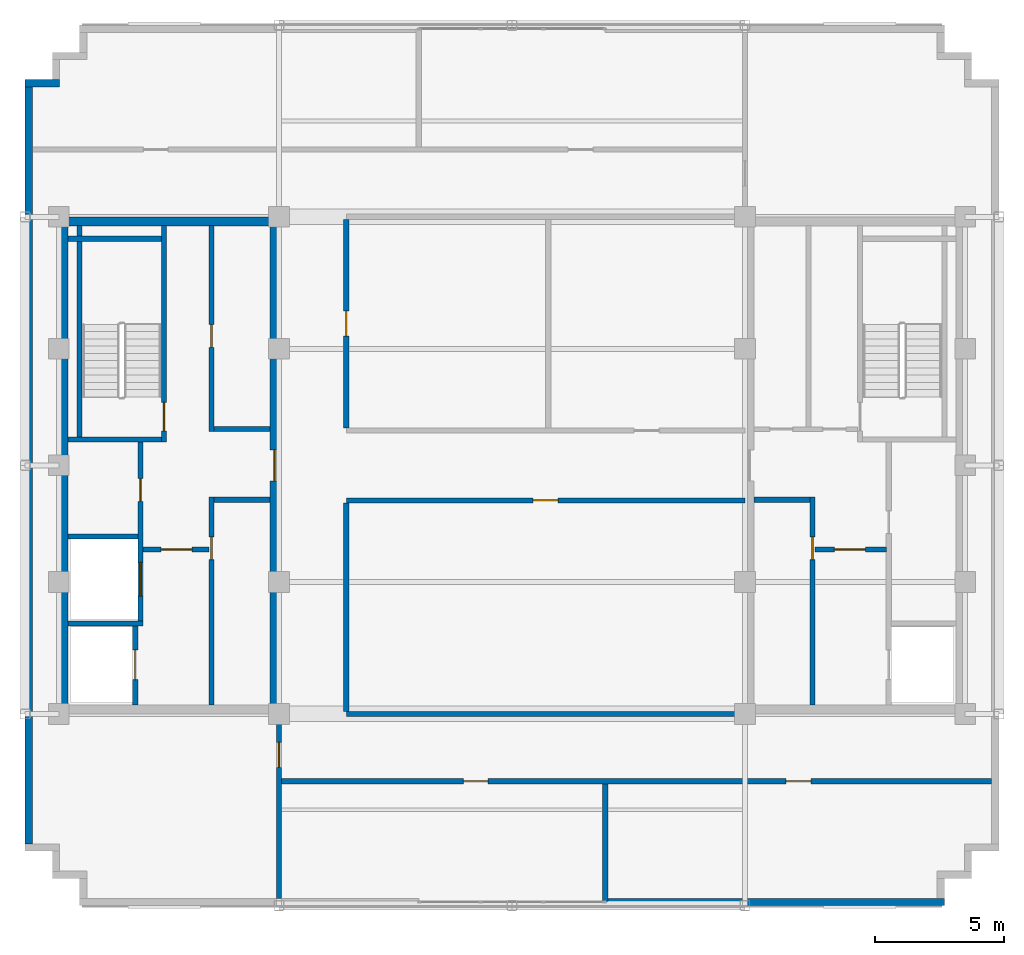
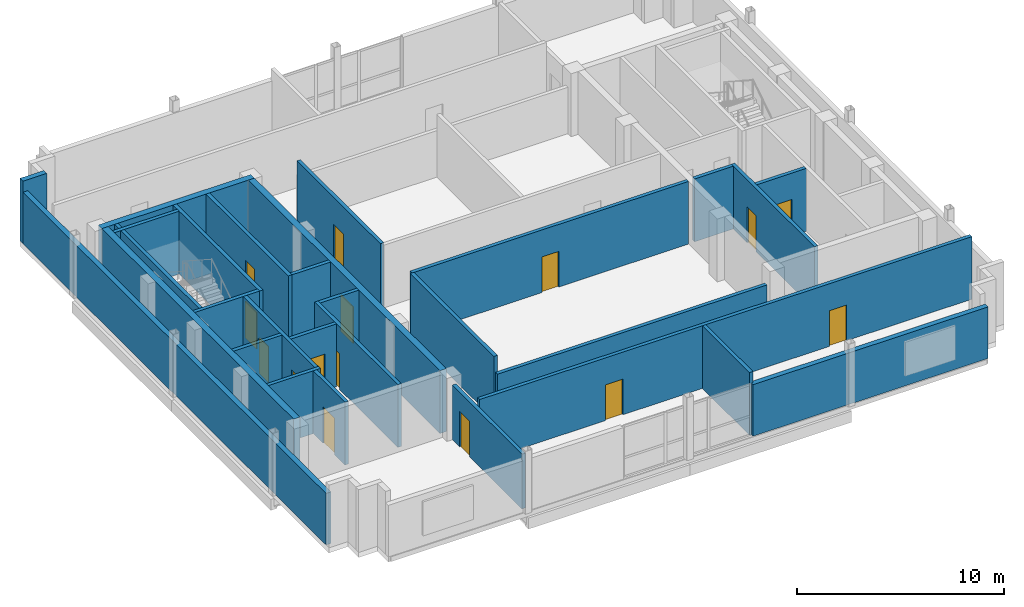
# One storey, part 2 of 10: 29 walls, 15 doors, 15 openings.
"""IFC4 building model written with IfcOpenShell, lengths in metres."""

from ifc_helpers import new_model, si_unit, direction, frame, frame_2d, origin, place, context, subcontext, project, spatial, rectangle, extrude, source, transform, mapped, material, layer, layer_set, type_object, type_shapes, element, fill, save


model = new_model("IFC4")

# Units and contexts
model_context = context("Model", 3, precision=1e-05, world=origin(), true_north=direction((0.0, 1.0)))
body_context = subcontext(model_context, "Body", "Model", "MODEL_VIEW")
ifc_project = project(units=[si_unit("LENGTHUNIT", "METRE"), si_unit("AREAUNIT", "SQUARE_METRE"), si_unit("VOLUMEUNIT", "CUBIC_METRE"), si_unit("PLANEANGLEUNIT", "RADIAN"), si_unit("MASSUNIT", "GRAM", prefix="KILO")], contexts=[model_context])

# Site, building, storey
site_placement = place(None, origin())
site = spatial("IfcSite", under=ifc_project, at=site_placement, CompositionType="ELEMENT")
building_placement = place(site_placement, origin())
building = spatial("IfcBuilding", under=site, at=building_placement, Name="Nuvemarco Arch Tower", CompositionType="ELEMENT")
storey_placement = place(building_placement, frame((0.0, 0.0, 295.14990234375)))
storey = spatial("IfcBuildingStorey", under=building, at=storey_placement, Name="L78", CompositionType="ELEMENT", Elevation=295.14990234375)

# Walls
ifc_material_1 = material(Name="Precast concrete C45/55", Category="concrete")
ifc_layer_1 = layer(ifc_material_1, 0.280029296875, Name="EW-CRN-280")
ifc_layer_set_1 = layer_set([ifc_layer_1], Name="Precast concrete C45/55")
wall_type_1 = type_object("IfcWallType", Name="EW-CRN-280", PredefinedType="STANDARD", material=ifc_layer_set_1)
wall_1_placement = place(storey_placement, frame((3.60009765625, -16.860107421875, 0.0), z_axis=(0.0, 0.0, 1.0), x_axis=(1.0, 0.0, 0.0)))
element("IfcWall", 1, at=wall_1_placement, inside=storey, type_object=wall_type_1, Name="L78 exterior precast pier wall south right", PredefinedType="STANDARD", context=body_context, shape_type="SweptSolid", body=[
    extrude(rectangle(XDim=13.099853515625, YDim=0.280029296875, at=frame_2d((6.5498046875, 0.0))), origin(), (0.0, 0.0, 1.0), 3.03515625),
])
wall_2_placement = place(storey_placement, frame((-18.800048828125, 14.760009765625, 0.0), z_axis=(0.0, 0.0, 1.0), x_axis=(1.0, 0.0, 0.0)))
element("IfcWall", 2, at=wall_2_placement, inside=storey, type_object=wall_type_1, Name="L78 exterior precast facade wall 15", PredefinedType="STANDARD", context=body_context, shape_type="SweptSolid", body=[
    extrude(rectangle(XDim=1.330078125, YDim=0.280029296875, at=frame_2d((0.6650390625, 0.0))), origin(), (0.0, 0.0, 1.0), 3.690185546875),
])
wall_3_placement = place(storey_placement, frame((-18.659912109375, -14.6240234375, 0.0), z_axis=(0.0, 0.0, 1.0), x_axis=(0.0, 1.0, 0.0)))
element("IfcWall", 3, at=wall_3_placement, inside=storey, type_object=wall_type_1, Name="L78 exterior precast facade wall 16", PredefinedType="STANDARD", context=body_context, shape_type="SweptSolid", body=[
    extrude(rectangle(XDim=29.248046875, YDim=0.280029296875, at=frame_2d((14.6240234375, 0.0))), origin(), (0.0, 0.0, 1.0), 3.03515625),
])
ifc_material_2 = material(Name="Concrete C50/60", Category="concrete")
ifc_layer_2 = layer(ifc_material_2, 0.35009765625, Name="WL-CORE-350")
ifc_layer_set_2 = layer_set([ifc_layer_2], Name="Concrete C50/60")
wall_type_2 = type_object("IfcWallType", Name="WL-CORE-350", PredefinedType="SHEAR", material=ifc_layer_set_2)
wall_4_placement = place(storey_placement, frame((-17.5, 9.425048828125, 0.0), z_axis=(0.0, 0.0, 1.0), x_axis=(1.0, 0.0, 0.0)))
element("IfcWall", 4, at=wall_4_placement, inside=storey, type_object=wall_type_2, Name="L78 W-core shear wall N", PredefinedType="SHEAR", context=body_context, shape_type="SweptSolid", body=[
    extrude(rectangle(XDim=8.5, YDim=0.35009765625, at=frame_2d((4.25, 0.0))), origin(), (0.0, 0.0, 1.0), 3.7001953125),
])
wall_5_placement = place(storey_placement, frame((-17.324951171875, -9.2548828125, 0.0), z_axis=(0.0, 0.0, 1.0), x_axis=(0.0, 1.0, 0.0)))
element("IfcWall", 5, at=wall_5_placement, inside=storey, type_object=wall_type_2, Name="L78 W-core shear wall W", PredefinedType="SHEAR", context=body_context, shape_type="SweptSolid", body=[
    extrude(rectangle(XDim=18.509765625, YDim=0.35009765625, at=frame_2d((9.2548828125, 0.0))), origin(), (0.0, 0.0, 1.0), 3.7001953125),
])

# Wall, opening, door
wall_6_placement = place(storey_placement, frame((-9.175048828125, -9.2548828125, 0.0), z_axis=(0.0, 0.0, 1.0), x_axis=(0.0, 1.0, 0.0)))
wall_6 = element("IfcWall", 6, at=wall_6_placement, inside=storey, type_object=wall_type_2, Name="L78 W-core shear wall E", PredefinedType="SHEAR", context=body_context, shape_type="SweptSolid", body=[
    extrude(rectangle(XDim=18.509765625, YDim=0.35009765625, at=frame_2d((9.2548828125, 0.0))), origin(), (0.0, 0.0, 1.0), 3.7001953125),
])
opening_1_placement = place(wall_6_placement, frame((8.655029296875, 0.0, 0.0)))
opening_1 = element("IfcOpeningElement", 7, at=opening_1_placement, cuts=wall_6, Name="Opening FD-2", PredefinedType="OPENING", context=body_context, shape_type="SweptSolid", body=[
    extrude(rectangle(XDim=1.199951171875, YDim=2.14990234375, at=frame_2d((0.60009765625, 1.074951171875))), frame((0.0, 0.18505859375, 0.0), z_axis=(0.0, -1.0, 0.0), x_axis=(1.0, 0.0, 0.0)), (0.0, 0.0, 1.0), 0.3701171875),
])
ifc_material_3 = material(Name="Anodised steel fire door", Category="steel")
door_type_1 = type_object("IfcDoorType", Name="DR-FFLOB-FD", OperationType="NOTDEFINED", PredefinedType="DOOR", material=ifc_material_3)
shared_shape_1 = source(origin(), body_context, "Body", "SweptSolid", [
    extrude(rectangle(XDim=1.199951171875, YDim=2.14990234375, at=frame_2d((0.60009765625, 1.074951171875))), frame((0.0, 0.02490234375, 0.0), z_axis=(0.0, -1.0, 0.0), x_axis=(1.0, 0.0, 0.0)), (0.0, 0.0, 1.0), 0.050048828125),
])
type_shapes(door_type_1, [shared_shape_1])
door_1_placement = place(opening_1_placement, origin())
door_1 = element("IfcDoor", 8, at=door_1_placement, inside=storey, type_object=door_type_1, Name="L78 door FD-L78-WCORE-E", OperationType="SINGLE_SWING_RIGHT", OverallHeight=2.14990234375, OverallWidth=1.199951171875, PredefinedType="DOOR", context=body_context, shape_type="MappedRepresentation", body=[
    mapped(shared_shape_1, transform((0.0, 0.0, 0.0), scale=1.0)),
])
fill(opening_1, door_1)

# Wall, openings, doors
ifc_layer_3 = layer(ifc_material_1, 0.199951171875, Name="WL-PLANT-200")
ifc_layer_set_3 = layer_set([ifc_layer_3], Name="Precast concrete C45/55")
wall_type_3 = type_object("IfcWallType", Name="WL-PLANT-200", PredefinedType="STANDARD", material=ifc_layer_set_3)
wall_7_placement = place(storey_placement, frame((-8.904052734375, -12.199951171875, 0.0), z_axis=(0.0, 0.0, 1.0), x_axis=(1.0, 0.0, 0.0)))
wall_7 = element("IfcWall", 9, at=wall_7_placement, inside=storey, type_object=wall_type_3, Name="L78 interior wall IW-L78-001", PredefinedType="STANDARD", context=body_context, shape_type="SweptSolid", body=[
    extrude(rectangle(XDim=27.424072265625, YDim=0.199951171875, at=frame_2d((13.7119140625, 0.0))), origin(), (0.0, 0.0, 1.0), 3.690185546875),
])
opening_2_placement = place(wall_7_placement, frame((19.48388671875, 0.0, 0.0)))
opening_2 = element("IfcOpeningElement", 10, at=opening_2_placement, cuts=wall_7, Name="Opening FD-5", PredefinedType="OPENING", context=body_context, shape_type="SweptSolid", body=[
    extrude(rectangle(XDim=0.9599609375, YDim=2.10009765625, at=frame_2d((0.47998046875, 1.050048828125))), frame((0.0, 0.10986328125, 0.0), z_axis=(0.0, -1.0, 0.0), x_axis=(1.0, 0.0, 0.0)), (0.0, 0.0, 1.0), 0.219970703125),
])
opening_3_placement = place(wall_7_placement, frame((7.02392578125, 0.0, 0.0)))
opening_3 = element("IfcOpeningElement", 11, at=opening_3_placement, cuts=wall_7, Name="Opening FD-5", PredefinedType="OPENING", context=body_context, shape_type="SweptSolid", body=[
    extrude(rectangle(XDim=0.9599609375, YDim=2.10009765625, at=frame_2d((0.47998046875, 1.050048828125))), frame((0.0, 0.10986328125, 0.0), z_axis=(0.0, -1.0, 0.0), x_axis=(1.0, 0.0, 0.0)), (0.0, 0.0, 1.0), 0.219970703125),
])
ifc_material_4 = material(Name="Timber fire door", Category="wood")
door_type_2 = type_object("IfcDoorType", Name="DR-CORR-FD", OperationType="NOTDEFINED", PredefinedType="DOOR", material=ifc_material_4)
shared_shape_2 = source(origin(), body_context, "Body", "SweptSolid", [
    extrude(rectangle(XDim=0.9599609375, YDim=2.10009765625, at=frame_2d((0.47998046875, 1.050048828125))), frame((0.0, 0.02490234375, 0.0), z_axis=(0.0, -1.0, 0.0), x_axis=(1.0, 0.0, 0.0)), (0.0, 0.0, 1.0), 0.050048828125),
])
type_shapes(door_type_2, [shared_shape_2])
door_2_placement = place(opening_2_placement, origin())
door_2 = element("IfcDoor", 12, at=door_2_placement, inside=storey, type_object=door_type_2, Name="L78 door DR-L78-CRN_S2", OperationType="SINGLE_SWING_LEFT", OverallHeight=2.10009765625, OverallWidth=0.9599609375, PredefinedType="DOOR", context=body_context, shape_type="MappedRepresentation", body=[
    mapped(shared_shape_2, transform((0.0, 0.0, 0.0), scale=1.0)),
])
fill(opening_2, door_2)
door_3_placement = place(opening_3_placement, origin())
door_3 = element("IfcDoor", 13, at=door_3_placement, inside=storey, type_object=door_type_2, Name="L78 door DR-L78-CRN_S1", OperationType="SINGLE_SWING_LEFT", OverallHeight=2.10009765625, OverallWidth=0.9599609375, PredefinedType="DOOR", context=body_context, shape_type="MappedRepresentation", body=[
    mapped(shared_shape_2, transform((0.0, 0.0, 0.0), scale=1.0)),
])
fill(opening_3, door_3)

# Wall
wall_8_placement = place(storey_placement, frame((-6.39990234375, -9.60009765625, 0.0), z_axis=(0.0, 0.0, 1.0), x_axis=(1.0, 0.0, 0.0)))
element("IfcWall", 14, at=wall_8_placement, inside=storey, type_object=wall_type_3, Name="L78 interior wall IW-L78-002", PredefinedType="STANDARD", context=body_context, shape_type="SweptSolid", body=[
    extrude(rectangle(XDim=15.00390625, YDim=0.199951171875, at=frame_2d((7.501953125, 0.0))), origin(), (0.0, 0.0, 1.0), 2.735107421875),
])

# Wall, opening, door
wall_9_placement = place(storey_placement, frame((-6.39990234375, -1.35009765625, 0.0), z_axis=(0.0, 0.0, 1.0), x_axis=(1.0, 0.0, 0.0)))
wall_9 = element("IfcWall", 15, at=wall_9_placement, inside=storey, type_object=wall_type_3, Name="L78 interior wall IW-L78-003", PredefinedType="STANDARD", context=body_context, shape_type="SweptSolid", body=[
    extrude(rectangle(XDim=15.39990234375, YDim=0.199951171875, at=frame_2d((7.699951171875, 0.0))), origin(), (0.0, 0.0, 1.0), 3.690185546875),
])
opening_4_placement = place(wall_9_placement, frame((7.219970703125, 0.0, 0.0)))
opening_4 = element("IfcOpeningElement", 16, at=opening_4_placement, cuts=wall_9, Name="Opening FD-5", PredefinedType="OPENING", context=body_context, shape_type="SweptSolid", body=[
    extrude(rectangle(XDim=0.9599609375, YDim=2.10009765625, at=frame_2d((0.47998046875, 1.050048828125))), frame((0.0, 0.10986328125, 0.0), z_axis=(0.0, -1.0, 0.0), x_axis=(1.0, 0.0, 0.0)), (0.0, 0.0, 1.0), 0.219970703125),
])
door_4_placement = place(opening_4_placement, origin())
door_4 = element("IfcDoor", 17, at=door_4_placement, inside=storey, type_object=door_type_2, Name="L78 door DR-L78-CRN_BMS", OperationType="SINGLE_SWING_RIGHT", OverallHeight=2.10009765625, OverallWidth=0.9599609375, PredefinedType="DOOR", context=body_context, shape_type="MappedRepresentation", body=[
    mapped(shared_shape_2, transform((0.0, 0.0, 0.0), scale=1.0)),
])
fill(opening_4, door_4)

wall_10_placement = place(storey_placement, frame((-9.0, -16.719970703125, 0.0), z_axis=(0.0, 0.0, 1.0), x_axis=(0.0, 1.0, 0.0)))
wall_10 = element("IfcWall", 18, at=wall_10_placement, inside=storey, type_object=wall_type_3, Name="L78 interior wall IW-L78-007", PredefinedType="STANDARD", context=body_context, shape_type="SweptSolid", body=[
    extrude(rectangle(XDim=6.723876953125, YDim=0.199951171875, at=frame_2d((3.36181640625, 0.0))), origin(), (0.0, 0.0, 1.0), 3.22216796875),
])
opening_5_placement = place(wall_10_placement, frame((5.06005859375, 0.0, 0.0)))
opening_5 = element("IfcOpeningElement", 19, at=opening_5_placement, cuts=wall_10, Name="Opening FD-5", PredefinedType="OPENING", context=body_context, shape_type="SweptSolid", body=[
    extrude(rectangle(XDim=0.9599609375, YDim=2.10009765625, at=frame_2d((0.47998046875, 1.050048828125))), frame((0.0, 0.10986328125, 0.0), z_axis=(0.0, -1.0, 0.0), x_axis=(1.0, 0.0, 0.0)), (0.0, 0.0, 1.0), 0.219970703125),
])
door_5_placement = place(opening_5_placement, origin())
door_5 = element("IfcDoor", 20, at=door_5_placement, inside=storey, type_object=door_type_2, Name="L78 door DR-L78-CRN_SW", OperationType="SINGLE_SWING_RIGHT", OverallHeight=2.10009765625, OverallWidth=0.9599609375, PredefinedType="DOOR", context=body_context, shape_type="MappedRepresentation", body=[
    mapped(shared_shape_2, transform((0.0, 0.0, 0.0), scale=1.0)),
])
fill(opening_5, door_5)

# Wall
wall_11_placement = place(storey_placement, frame((-6.39990234375, -9.50390625, 0.0), z_axis=(0.0, 0.0, 1.0), x_axis=(0.0, 1.0, 0.0)))
element("IfcWall", 21, at=wall_11_placement, inside=storey, type_object=wall_type_3, Name="L78 interior wall IW-L78-008", PredefinedType="STANDARD", context=body_context, shape_type="SweptSolid", body=[
    extrude(rectangle(XDim=8.057861328125, YDim=0.199951171875, at=frame_2d((4.02880859375, 0.0))), origin(), (0.0, 0.0, 1.0), 3.690185546875),
])

# Wall, opening, door
wall_12_placement = place(storey_placement, frame((-6.39990234375, 1.446044921875, 0.0), z_axis=(0.0, 0.0, 1.0), x_axis=(0.0, 1.0, 0.0)))
wall_12 = element("IfcWall", 22, at=wall_12_placement, inside=storey, type_object=wall_type_3, Name="L78 interior wall IW-L78-009", PredefinedType="STANDARD", context=body_context, shape_type="SweptSolid", body=[
    extrude(rectangle(XDim=8.057861328125, YDim=0.199951171875, at=frame_2d((4.02880859375, 0.0))), origin(), (0.0, 0.0, 1.0), 3.690185546875),
])
opening_6_placement = place(wall_12_placement, frame((3.549072265625, 0.0, 0.0)))
opening_6 = element("IfcOpeningElement", 23, at=opening_6_placement, cuts=wall_12, Name="Opening FD-5", PredefinedType="OPENING", context=body_context, shape_type="SweptSolid", body=[
    extrude(rectangle(XDim=0.9599609375, YDim=2.10009765625, at=frame_2d((0.47998046875, 1.050048828125))), frame((0.0, 0.10986328125, 0.0), z_axis=(0.0, -1.0, 0.0), x_axis=(1.0, 0.0, 0.0)), (0.0, 0.0, 1.0), 0.219970703125),
])
door_6_placement = place(opening_6_placement, origin())
door_6 = element("IfcDoor", 24, at=door_6_placement, inside=storey, type_object=door_type_2, Name="L78 door DR-L78-CRN_PUMP1", OperationType="SINGLE_SWING_LEFT", OverallHeight=2.10009765625, OverallWidth=0.9599609375, PredefinedType="DOOR", context=body_context, shape_type="MappedRepresentation", body=[
    mapped(shared_shape_2, transform((0.0, 0.0, 0.0), scale=1.0)),
])
fill(opening_6, door_6)

# Wall
wall_13_placement = place(storey_placement, frame((3.60009765625, -16.844970703125, 0.0), z_axis=(0.0, 0.0, 1.0), x_axis=(0.0, 1.0, 0.0)))
element("IfcWall", 25, at=wall_13_placement, inside=storey, type_object=wall_type_3, Name="L78 interior wall IW-L78-012", PredefinedType="STANDARD", context=body_context, shape_type="SweptSolid", body=[
    extrude(rectangle(XDim=4.549072265625, YDim=0.199951171875, at=frame_2d((2.2744140625, 0.0))), origin(), (0.0, 0.0, 1.0), 3.690185546875),
])

# Wall, opening, door
ifc_layer_4 = layer(ifc_material_2, 0.199951171875, Name="WL-SHAFT-220")
ifc_layer_set_4 = layer_set([ifc_layer_4], Name="Concrete C50/60")
wall_type_4 = type_object("IfcWallType", Name="WL-SHAFT-220", PredefinedType="SHEAR", material=ifc_layer_set_4)
wall_14_placement = place(storey_placement, frame((-13.43994140625, 0.89990234375, 0.0), z_axis=(0.0, 0.0, 1.0), x_axis=(0.0, 1.0, 0.0)))
wall_14 = element("IfcWall", 26, at=wall_14_placement, inside=storey, type_object=wall_type_4, Name="L78 structural shaft wall SW-L78-W-ST1E", PredefinedType="SHEAR", context=body_context, shape_type="SweptSolid", body=[
    extrude(rectangle(XDim=8.35498046875, YDim=0.199951171875, at=frame_2d((4.177490234375, 0.0))), origin(), (0.0, 0.0, 1.0), 3.7001953125),
])
opening_7_placement = place(wall_14_placement, frame((1.530029296875, 0.0, 0.0), z_axis=(0.0, 0.0, 1.0), x_axis=(-1.0, 0.0, 0.0)))
opening_7 = element("IfcOpeningElement", 27, at=opening_7_placement, cuts=wall_14, Name="Opening FD-1", PredefinedType="OPENING", context=body_context, shape_type="SweptSolid", body=[
    extrude(rectangle(XDim=1.10009765625, YDim=2.14990234375, at=frame_2d((0.550048828125, 1.074951171875))), frame((0.0, 0.10986328125, 0.0), z_axis=(0.0, -1.0, 0.0), x_axis=(1.0, 0.0, 0.0)), (0.0, 0.0, 1.0), 0.219970703125),
])
door_type_3 = type_object("IfcDoorType", Name="DR-STAIR-FD", OperationType="NOTDEFINED", PredefinedType="DOOR", material=ifc_material_3)
shared_shape_3 = source(origin(), body_context, "Body", "SweptSolid", [
    extrude(rectangle(XDim=1.10009765625, YDim=2.14990234375, at=frame_2d((0.550048828125, 1.074951171875))), frame((0.0, 0.02490234375, 0.0), z_axis=(0.0, -1.0, 0.0), x_axis=(1.0, 0.0, 0.0)), (0.0, 0.0, 1.0), 0.050048828125),
])
type_shapes(door_type_3, [shared_shape_3])
door_7_placement = place(opening_7_placement, origin())
door_7 = element("IfcDoor", 28, at=door_7_placement, inside=storey, type_object=door_type_3, Name="L78 door FD-L78-ST1", OperationType="SINGLE_SWING_LEFT", OverallHeight=2.14990234375, OverallWidth=1.10009765625, PredefinedType="DOOR", context=body_context, shape_type="MappedRepresentation", body=[
    mapped(shared_shape_3, transform((0.0, 0.0, 0.0), scale=1.0)),
])
fill(opening_7, door_7)

# Walls
for number, where, z_axis, x_axis, name in (
    (29, (-17.155029296875, 1.0, 0.0), (0.0, 0.0, 1.0), (1.0, 0.0, 0.0), "L78 structural shaft wall SW-L78-W-ST1S"),
    (30, (-17.155029296875, 8.75, 0.0), (0.0, 0.0, 1.0), (1.0, 0.0, 0.0), "L78 structural shaft wall SW-L78-W-ST1N"),
):
    element("IfcWall", number, at=place(storey_placement, frame(where, z_axis=z_axis, x_axis=x_axis)), inside=storey, type_object=wall_type_4, Name=name, PredefinedType="SHEAR", context=body_context, shape_type="SweptSolid", body=[
        extrude(rectangle(XDim=3.6201171875, YDim=0.199951171875, at=frame_2d((1.81005859375, 0.0))), origin(), (0.0, 0.0, 1.0), 3.7001953125),
    ])
wall_15_placement = place(storey_placement, frame((-16.699951171875, 1.094970703125, 0.0), z_axis=(0.0, 0.0, 1.0), x_axis=(0.0, 1.0, 0.0)))
element("IfcWall", 31, at=wall_15_placement, inside=storey, type_object=wall_type_4, Name="L78 structural shaft wall SW-L78-W-ST1W", PredefinedType="SHEAR", context=body_context, shape_type="SweptSolid", body=[
    extrude(rectangle(XDim=8.159912109375, YDim=0.199951171875, at=frame_2d((4.080078125, 0.0))), origin(), (0.0, 0.0, 1.0), 3.7001953125),
])

# Wall, opening, door
wall_16_placement = place(storey_placement, frame((-14.550048828125, -9.2548828125, 0.0), z_axis=(0.0, 0.0, 1.0), x_axis=(0.0, 1.0, 0.0)))
wall_16 = element("IfcWall", 32, at=wall_16_placement, inside=storey, type_object=wall_type_4, Name="L78 structural shaft wall SW-L78-W-SHE", PredefinedType="SHEAR", context=body_context, shape_type="SweptSolid", body=[
    extrude(rectangle(XDim=3.059814453125, YDim=0.199951171875, at=frame_2d((1.52978515625, 0.0))), origin(), (0.0, 0.0, 1.0), 3.7001953125),
])
opening_8_placement = place(wall_16_placement, frame((0.97998046875, 0.0, 0.0)))
opening_8 = element("IfcOpeningElement", 33, at=opening_8_placement, cuts=wall_16, Name="Opening LD-2", PredefinedType="OPENING", context=body_context, shape_type="SweptSolid", body=[
    extrude(rectangle(XDim=1.14990234375, YDim=2.14990234375, at=frame_2d((0.574951171875, 1.074951171875))), frame((0.0, 0.10986328125, 0.0), z_axis=(0.0, -1.0, 0.0), x_axis=(1.0, 0.0, 0.0)), (0.0, 0.0, 1.0), 0.219970703125),
])
ifc_material_5 = material(Name="Stainless steel lift door", Category="steel")
door_type_4 = type_object("IfcDoorType", Name="DR-LIFT-FIRE", OperationType="DOUBLE_DOOR_SLIDING", PredefinedType="DOOR", material=ifc_material_5)
shared_shape_4 = source(origin(), body_context, "Body", "SweptSolid", [
    extrude(rectangle(XDim=1.14990234375, YDim=2.14990234375, at=frame_2d((0.574951171875, 1.074951171875))), frame((0.0, 0.02490234375, 0.0), z_axis=(0.0, -1.0, 0.0), x_axis=(1.0, 0.0, 0.0)), (0.0, 0.0, 1.0), 0.050048828125),
])
type_shapes(door_type_4, [shared_shape_4])
door_8_placement = place(opening_8_placement, origin())
door_8 = element("IfcDoor", 34, at=door_8_placement, inside=storey, type_object=door_type_4, Name="L78 Lift landing sliding door FFL-1", OperationType="DOUBLE_DOOR_SLIDING", OverallHeight=2.14990234375, OverallWidth=1.14990234375, PredefinedType="DOOR", context=body_context, shape_type="MappedRepresentation", body=[
    mapped(shared_shape_4, transform((0.0, 0.0, 0.0), scale=1.0)),
])
fill(opening_8, door_8)

# Wall, openings, doors
wall_17_placement = place(storey_placement, frame((-14.35009765625, -6.199951171875, 0.0), z_axis=(0.0, 0.0, 1.0), x_axis=(0.0, 1.0, 0.0)))
wall_17 = element("IfcWall", 35, at=wall_17_placement, inside=storey, type_object=wall_type_4, Name="L78 structural shaft wall SW-L78-W-SVE", PredefinedType="SHEAR", context=body_context, shape_type="SweptSolid", body=[
    extrude(rectangle(XDim=7.10498046875, YDim=0.199951171875, at=frame_2d((3.552490234375, 0.0))), origin(), (0.0, 0.0, 1.0), 3.7001953125),
])
opening_9_placement = place(wall_17_placement, frame((5.68994140625, 0.0, 0.0), z_axis=(0.0, 0.0, 1.0), x_axis=(-1.0, 0.0, 0.0)))
opening_9 = element("IfcOpeningElement", 36, at=opening_9_placement, cuts=wall_17, Name="Opening FD-4", PredefinedType="OPENING", context=body_context, shape_type="SweptSolid", body=[
    extrude(rectangle(XDim=0.8798828125, YDim=2.10009765625, at=frame_2d((0.43994140625, 1.050048828125))), frame((0.0, 0.10986328125, 0.0), z_axis=(0.0, -1.0, 0.0), x_axis=(1.0, 0.0, 0.0)), (0.0, 0.0, 1.0), 0.219970703125),
])
opening_10_placement = place(wall_17_placement, frame((1.14990234375, 0.0, 0.0)))
opening_10 = element("IfcOpeningElement", 37, at=opening_10_placement, cuts=wall_17, Name="Opening LD-3", PredefinedType="OPENING", context=body_context, shape_type="SweptSolid", body=[
    extrude(rectangle(XDim=1.300048828125, YDim=2.199951171875, at=frame_2d((0.64990234375, 1.10009765625))), frame((0.0, 0.10986328125, 0.0), z_axis=(0.0, -1.0, 0.0), x_axis=(1.0, 0.0, 0.0)), (0.0, 0.0, 1.0), 0.219970703125),
])
door_type_5 = type_object("IfcDoorType", Name="DR-RISER-FD", OperationType="NOTDEFINED", PredefinedType="DOOR", material=ifc_material_3)
shared_shape_5 = source(origin(), body_context, "Body", "SweptSolid", [
    extrude(rectangle(XDim=0.8798828125, YDim=2.10009765625, at=frame_2d((0.43994140625, 1.050048828125))), frame((0.0, 0.02490234375, 0.0), z_axis=(0.0, -1.0, 0.0), x_axis=(1.0, 0.0, 0.0)), (0.0, 0.0, 1.0), 0.050048828125),
])
type_shapes(door_type_5, [shared_shape_5])
door_9_placement = place(opening_9_placement, origin())
door_9 = element("IfcDoor", 38, at=door_9_placement, inside=storey, type_object=door_type_5, Name="L78 door FD-L78-WRIS", OperationType="SINGLE_SWING_LEFT", OverallHeight=2.10009765625, OverallWidth=0.8798828125, PredefinedType="DOOR", context=body_context, shape_type="MappedRepresentation", body=[
    mapped(shared_shape_5, transform((0.0, 0.0, 0.0), scale=1.0)),
])
fill(opening_9, door_9)
door_type_6 = type_object("IfcDoorType", Name="DR-LIFT-SERV", OperationType="DOUBLE_DOOR_SLIDING", PredefinedType="DOOR", material=ifc_material_5)
shared_shape_6 = source(origin(), body_context, "Body", "SweptSolid", [
    extrude(rectangle(XDim=1.300048828125, YDim=2.199951171875, at=frame_2d((0.64990234375, 1.10009765625))), frame((0.0, 0.02490234375, 0.0), z_axis=(0.0, -1.0, 0.0), x_axis=(1.0, 0.0, 0.0)), (0.0, 0.0, 1.0), 0.050048828125),
])
type_shapes(door_type_6, [shared_shape_6])
door_10_placement = place(opening_10_placement, origin())
door_10 = element("IfcDoor", 39, at=door_10_placement, inside=storey, type_object=door_type_6, Name="L78 Lift landing sliding door SVL-1", OperationType="DOUBLE_DOOR_SLIDING", OverallHeight=2.199951171875, OverallWidth=1.300048828125, PredefinedType="DOOR", context=body_context, shape_type="MappedRepresentation", body=[
    mapped(shared_shape_6, transform((0.0, 0.0, 0.0), scale=1.0)),
])
fill(opening_10, door_10)

# Walls
wall_18_placement = place(storey_placement, frame((-17.155029296875, -6.10009765625, 0.0), z_axis=(0.0, 0.0, 1.0), x_axis=(1.0, 0.0, 0.0)))
element("IfcWall", 40, at=wall_18_placement, inside=storey, type_object=wall_type_4, Name="L78 structural shaft wall SW-L78-W-SH1", PredefinedType="SHEAR", context=body_context, shape_type="SweptSolid", body=[
    extrude(rectangle(XDim=2.905029296875, YDim=0.199951171875, at=frame_2d((1.45263671875, 0.0))), origin(), (0.0, 0.0, 1.0), 3.7001953125),
])
wall_19_placement = place(storey_placement, frame((-17.155029296875, -2.75, 0.0), z_axis=(0.0, 0.0, 1.0), x_axis=(1.0, 0.0, 0.0)))
element("IfcWall", 41, at=wall_19_placement, inside=storey, type_object=wall_type_4, Name="L78 structural shaft wall SW-L78-W-SH2", PredefinedType="SHEAR", context=body_context, shape_type="SweptSolid", body=[
    extrude(rectangle(XDim=2.7099609375, YDim=0.199951171875, at=frame_2d((1.35498046875, 0.0))), origin(), (0.0, 0.0, 1.0), 3.7001953125),
])

# Wall, opening, door
wall_20_placement = place(storey_placement, frame((-11.60009765625, -9.2548828125, 0.0), z_axis=(0.0, 0.0, 1.0), x_axis=(0.0, 1.0, 0.0)))
wall_20 = element("IfcWall", 42, at=wall_20_placement, inside=storey, type_object=wall_type_4, Name="L78 structural shaft wall SW-L78-W-PLW", PredefinedType="SHEAR", context=body_context, shape_type="SweptSolid", body=[
    extrude(rectangle(XDim=8.02490234375, YDim=0.199951171875, at=frame_2d((4.012451171875, 0.0))), origin(), (0.0, 0.0, 1.0), 3.7001953125),
])
opening_11_placement = place(wall_20_placement, frame((5.614990234375, 0.0, 0.0)))
opening_11 = element("IfcOpeningElement", 43, at=opening_11_placement, cuts=wall_20, Name="Opening FD-4", PredefinedType="OPENING", context=body_context, shape_type="SweptSolid", body=[
    extrude(rectangle(XDim=0.8798828125, YDim=2.10009765625, at=frame_2d((0.43994140625, 1.050048828125))), frame((0.0, 0.10986328125, 0.0), z_axis=(0.0, -1.0, 0.0), x_axis=(1.0, 0.0, 0.0)), (0.0, 0.0, 1.0), 0.219970703125),
])
door_11_placement = place(opening_11_placement, origin())
door_11 = element("IfcDoor", 44, at=door_11_placement, inside=storey, type_object=door_type_5, Name="L78 door FD-L78-WREC1", OperationType="SINGLE_SWING_LEFT", OverallHeight=2.10009765625, OverallWidth=0.8798828125, PredefinedType="DOOR", context=body_context, shape_type="MappedRepresentation", body=[
    mapped(shared_shape_5, transform((0.0, 0.0, 0.0), scale=1.0)),
])
fill(opening_11, door_11)

wall_21_placement = place(storey_placement, frame((-14.2548828125, -3.25, 0.0), z_axis=(0.0, 0.0, 1.0), x_axis=(1.0, 0.0, 0.0)))
wall_21 = element("IfcWall", 45, at=wall_21_placement, inside=storey, type_object=wall_type_4, Name="L78 structural shaft wall SW-L78-W-FFN", PredefinedType="SHEAR", context=body_context, shape_type="SweptSolid", body=[
    extrude(rectangle(XDim=2.559814453125, YDim=0.199951171875, at=frame_2d((1.27978515625, 0.0))), origin(), (0.0, 0.0, 1.0), 3.7001953125),
])
opening_12_placement = place(wall_21_placement, frame((0.705078125, 0.0, 0.0)))
opening_12 = element("IfcOpeningElement", 46, at=opening_12_placement, cuts=wall_21, Name="Opening FD-2", PredefinedType="OPENING", context=body_context, shape_type="SweptSolid", body=[
    extrude(rectangle(XDim=1.199951171875, YDim=2.14990234375, at=frame_2d((0.60009765625, 1.074951171875))), frame((0.0, 0.10986328125, 0.0), z_axis=(0.0, -1.0, 0.0), x_axis=(1.0, 0.0, 0.0)), (0.0, 0.0, 1.0), 0.219970703125),
])
door_12_placement = place(opening_12_placement, origin())
door_12 = element("IfcDoor", 47, at=door_12_placement, inside=storey, type_object=door_type_1, Name="L78 door FD-L78-WFF1", OperationType="SINGLE_SWING_LEFT", OverallHeight=2.14990234375, OverallWidth=1.199951171875, PredefinedType="DOOR", context=body_context, shape_type="MappedRepresentation", body=[
    mapped(shared_shape_1, transform((0.0, 0.0, 0.0), scale=1.0)),
])
fill(opening_12, door_12)

# Wall
wall_22_placement = place(storey_placement, frame((-11.5048828125, -1.330078125, 0.0), z_axis=(0.0, 0.0, 1.0), x_axis=(1.0, 0.0, 0.0)))
element("IfcWall", 48, at=wall_22_placement, inside=storey, type_object=wall_type_4, Name="L78 structural shaft wall SW-L78-W-PLTOP", PredefinedType="SHEAR", context=body_context, shape_type="SweptSolid", body=[
    extrude(rectangle(XDim=2.159912109375, YDim=0.199951171875, at=frame_2d((1.080078125, 0.0))), origin(), (0.0, 0.0, 1.0), 3.7001953125),
])

# Wall, opening, door
wall_23_placement = place(storey_placement, frame((-11.60009765625, 1.300048828125, 0.0), z_axis=(0.0, 0.0, 1.0), x_axis=(0.0, 1.0, 0.0)))
wall_23 = element("IfcWall", 49, at=wall_23_placement, inside=storey, type_object=wall_type_4, Name="L78 structural shaft wall SW-L78-W-PHW", PredefinedType="SHEAR", context=body_context, shape_type="SweptSolid", body=[
    extrude(rectangle(XDim=7.954833984375, YDim=0.199951171875, at=frame_2d((3.9775390625, 0.0))), origin(), (0.0, 0.0, 1.0), 3.7001953125),
])
opening_13_placement = place(wall_23_placement, frame((3.260009765625, 0.0, 0.0)))
opening_13 = element("IfcOpeningElement", 50, at=opening_13_placement, cuts=wall_23, Name="Opening FD-4", PredefinedType="OPENING", context=body_context, shape_type="SweptSolid", body=[
    extrude(rectangle(XDim=0.8798828125, YDim=2.10009765625, at=frame_2d((0.43994140625, 1.050048828125))), frame((0.0, 0.10986328125, 0.0), z_axis=(0.0, -1.0, 0.0), x_axis=(1.0, 0.0, 0.0)), (0.0, 0.0, 1.0), 0.219970703125),
])
door_13_placement = place(opening_13_placement, origin())
door_13 = element("IfcDoor", 51, at=door_13_placement, inside=storey, type_object=door_type_5, Name="L78 door FD-L78-WRECPH", OperationType="SINGLE_SWING_LEFT", OverallHeight=2.10009765625, OverallWidth=0.8798828125, PredefinedType="DOOR", context=body_context, shape_type="MappedRepresentation", body=[
    mapped(shared_shape_5, transform((0.0, 0.0, 0.0), scale=1.0)),
])
fill(opening_13, door_13)

# Wall
wall_24_placement = place(storey_placement, frame((-11.5048828125, 1.39990234375, 0.0), z_axis=(0.0, 0.0, 1.0), x_axis=(1.0, 0.0, 0.0)))
element("IfcWall", 52, at=wall_24_placement, inside=storey, type_object=wall_type_4, Name="L78 structural shaft wall SW-L78-W-PHBOT", PredefinedType="SHEAR", context=body_context, shape_type="SweptSolid", body=[
    extrude(rectangle(XDim=2.159912109375, YDim=0.199951171875, at=frame_2d((1.080078125, 0.0))), origin(), (0.0, 0.0, 1.0), 3.7001953125),
])

# Wall, opening, door
wall_25_placement = place(storey_placement, frame((11.60009765625, -9.2548828125, 0.0), z_axis=(0.0, 0.0, 1.0), x_axis=(0.0, 1.0, 0.0)))
wall_25 = element("IfcWall", 53, at=wall_25_placement, inside=storey, type_object=wall_type_4, Name="L78 structural shaft wall SW-L78-E-PME", PredefinedType="SHEAR", context=body_context, shape_type="SweptSolid", body=[
    extrude(rectangle(XDim=8.02490234375, YDim=0.199951171875, at=frame_2d((4.012451171875, 0.0))), origin(), (0.0, 0.0, 1.0), 3.7001953125),
])
opening_14_placement = place(wall_25_placement, frame((5.614990234375, 0.0, 0.0)))
opening_14 = element("IfcOpeningElement", 54, at=opening_14_placement, cuts=wall_25, Name="Opening FD-4", PredefinedType="OPENING", context=body_context, shape_type="SweptSolid", body=[
    extrude(rectangle(XDim=0.8798828125, YDim=2.10009765625, at=frame_2d((0.43994140625, 1.050048828125))), frame((0.0, 0.10986328125, 0.0), z_axis=(0.0, -1.0, 0.0), x_axis=(1.0, 0.0, 0.0)), (0.0, 0.0, 1.0), 0.219970703125),
])
door_14_placement = place(opening_14_placement, origin())
door_14 = element("IfcDoor", 55, at=door_14_placement, inside=storey, type_object=door_type_5, Name="L78 door FD-L78-ERECPM", OperationType="SINGLE_SWING_RIGHT", OverallHeight=2.10009765625, OverallWidth=0.8798828125, PredefinedType="DOOR", context=body_context, shape_type="MappedRepresentation", body=[
    mapped(shared_shape_5, transform((0.0, 0.0, 0.0), scale=1.0)),
])
fill(opening_14, door_14)

wall_26_placement = place(storey_placement, frame((11.695068359375, -3.25, 0.0), z_axis=(0.0, 0.0, 1.0), x_axis=(1.0, 0.0, 0.0)))
wall_26 = element("IfcWall", 56, at=wall_26_placement, inside=storey, type_object=wall_type_4, Name="L78 structural shaft wall SW-L78-E-FFN", PredefinedType="SHEAR", context=body_context, shape_type="SweptSolid", body=[
    extrude(rectangle(XDim=2.760009765625, YDim=0.199951171875, at=frame_2d((1.3798828125, 0.0))), origin(), (0.0, 0.0, 1.0), 3.7001953125),
])
opening_15_placement = place(wall_26_placement, frame((0.7548828125, 0.0, 0.0)))
opening_15 = element("IfcOpeningElement", 57, at=opening_15_placement, cuts=wall_26, Name="Opening FD-2", PredefinedType="OPENING", context=body_context, shape_type="SweptSolid", body=[
    extrude(rectangle(XDim=1.199951171875, YDim=2.14990234375, at=frame_2d((0.60009765625, 1.074951171875))), frame((0.0, 0.10986328125, 0.0), z_axis=(0.0, -1.0, 0.0), x_axis=(1.0, 0.0, 0.0)), (0.0, 0.0, 1.0), 0.219970703125),
])
door_15_placement = place(opening_15_placement, origin())
door_15 = element("IfcDoor", 58, at=door_15_placement, inside=storey, type_object=door_type_1, Name="L78 door FD-L78-EFF2", OperationType="SINGLE_SWING_RIGHT", OverallHeight=2.14990234375, OverallWidth=1.199951171875, PredefinedType="DOOR", context=body_context, shape_type="MappedRepresentation", body=[
    mapped(shared_shape_1, transform((0.0, 0.0, 0.0), scale=1.0)),
])
fill(opening_15, door_15)

# Wall
wall_27_placement = place(storey_placement, frame((9.344970703125, -1.330078125, 0.0), z_axis=(0.0, 0.0, 1.0), x_axis=(1.0, 0.0, 0.0)))
element("IfcWall", 59, at=wall_27_placement, inside=storey, type_object=wall_type_4, Name="L78 structural shaft wall SW-L78-E-PMTOP", PredefinedType="SHEAR", context=body_context, shape_type="SweptSolid", body=[
    extrude(rectangle(XDim=2.159912109375, YDim=0.199951171875, at=frame_2d((1.080078125, 0.0))), origin(), (0.0, 0.0, 1.0), 3.7001953125),
])

save(model, "model.ifc")
